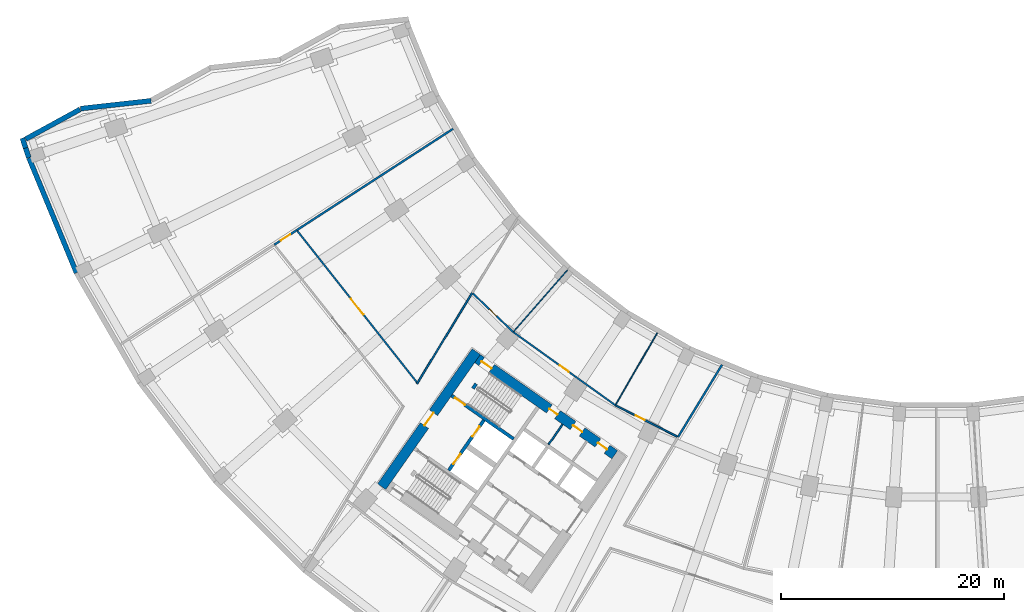
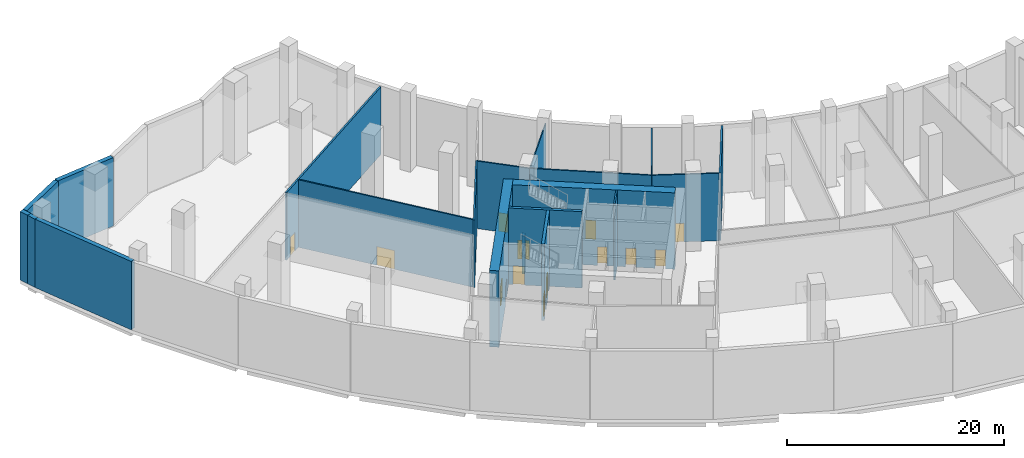
# One storey, part 6 of 19: 21 walls, 13 doors, 13 openings.
"""IFC4 building model written with IfcOpenShell, lengths in metres."""

from ifc_helpers import new_model, si_unit, direction, frame, frame_2d, origin, place, context, subcontext, project, spatial, rectangle, extrude, material, layer, layer_set, type_object, element, fill, save


model = new_model("IFC4")

# Units and contexts
model_context = context("Model", 3, precision=1e-05, world=origin(), true_north=direction((0.0, 1.0)))
body_context = subcontext(model_context, "Body", "Model", "MODEL_VIEW")
ifc_project = project(units=[si_unit("LENGTHUNIT", "METRE"), si_unit("AREAUNIT", "SQUARE_METRE"), si_unit("VOLUMEUNIT", "CUBIC_METRE"), si_unit("PLANEANGLEUNIT", "RADIAN"), si_unit("MASSUNIT", "GRAM", prefix="KILO")], contexts=[model_context])

# Site, building, storey
site_placement = place(None, origin())
site = spatial("IfcSite", under=ifc_project, at=site_placement, CompositionType="ELEMENT")
building_placement = place(site_placement, origin())
building = spatial("IfcBuilding", under=site, at=building_placement, Name="Qamariyya Broadcast Tower", CompositionType="ELEMENT")
storey_placement = place(building_placement, frame((0.0, 0.0, 9.0)))
storey = spatial("IfcBuildingStorey", under=building, at=storey_placement, Name="L01", CompositionType="ELEMENT", Elevation=9.0)

# Wall, opening, door
ifc_material_1 = material(Name="Concrete C70/85", Category="concrete")
ifc_layer_1 = layer(ifc_material_1, 0.89990234375)
ifc_layer_set_1 = layer_set([ifc_layer_1], Name="Core wall 900 mm Concrete C70/85")
wall_type_1 = type_object("IfcWallType", Name="Core wall 900 mm Concrete C70/85", PredefinedType="SHEAR", material=ifc_layer_set_1)
wall_1_placement = place(storey_placement, frame((-49.778564453125, -57.191162109375, 0.0), z_axis=(0.0, 0.0, 1.0), x_axis=(0.573577477574, 0.819151315216, 0.0)))
wall_1 = element("IfcWall", 1, at=wall_1_placement, inside=storey, type_object=wall_type_1, Name="k-W-L01-WH", PredefinedType="SHEAR", context=body_context, shape_type="SweptSolid", body=[
    extrude(rectangle(XDim=14.800048828125, YDim=0.89990234375, at=frame_2d((7.39990234375, 0.0))), origin(), (0.0, 0.0, 1.0), 8.60009765625),
])
opening_1_placement = place(wall_1_placement, frame((6.699951171875, 0.0, 0.0)))
opening_1 = element("IfcOpeningElement", 2, at=opening_1_placement, cuts=wall_1, Name="Opening KD2-W1", PredefinedType="OPENING", context=body_context, shape_type="SweptSolid", body=[
    extrude(rectangle(XDim=1.39990234375, YDim=2.10009765625, at=frame_2d((0.699951171875, 1.050048828125))), frame((0.0, 0.4599609375, 0.0), z_axis=(0.0, -1.0, 0.0), x_axis=(1.0, 0.0, 0.0)), (0.0, 0.0, 1.0), 0.919921875),
])
ifc_material_2 = material(Name="Steel fire-resisting door leaf", Category="steel")
door_type_1 = type_object("IfcDoorType", Name="Fire-fighting lobby door KD2", OperationType="DOUBLE_DOOR_SINGLE_SWING", PredefinedType="DOOR", material=ifc_material_2)
door_1_placement = place(opening_1_placement, origin())
door_1 = element("IfcDoor", 3, at=door_1_placement, inside=storey, type_object=door_type_1, Name="k-W-L01-WH-D16", OperationType="DOUBLE_DOOR_SINGLE_SWING", OverallHeight=2.10009765625, OverallWidth=1.39990234375, PredefinedType="DOOR", context=body_context, shape_type="SweptSolid", body=[
    extrude(rectangle(XDim=1.39990234375, YDim=2.10009765625, at=frame_2d((0.699951171875, 1.050048828125))), frame((0.0, 0.02490234375, 0.0), z_axis=(0.0, -1.0, 0.0), x_axis=(1.0, 0.0, 0.0)), (0.0, 0.0, 1.0), 0.050048828125),
])
fill(opening_1, door_1)

# Wall, openings, doors
wall_2_placement = place(storey_placement, frame((-28.8544921875, -54.32421875, 0.0), z_axis=(0.0, 0.0, 1.0), x_axis=(-0.819145767589, 0.573585400304, 0.0)))
wall_2 = element("IfcWall", 4, at=wall_2_placement, inside=storey, type_object=wall_type_1, Name="k-W-L01-WI", PredefinedType="SHEAR", context=body_context, shape_type="SweptSolid", body=[
    extrude(rectangle(XDim=15.04541015625, YDim=0.89990234375, at=frame_2d((7.522705078125, 0.0))), origin(), (0.0, 0.0, 1.0), 8.60009765625),
])
opening_2_placement = place(wall_2_placement, frame((0.85009765625, 0.0, 0.0)))
opening_2 = element("IfcOpeningElement", 5, at=opening_2_placement, cuts=wall_2, Name="Opening KD6-W3", PredefinedType="OPENING", context=body_context, shape_type="SweptSolid", body=[
    extrude(rectangle(XDim=1.0, YDim=2.10009765625, at=frame_2d((0.5, 1.050048828125))), frame((0.0, 0.4599609375, 0.0), z_axis=(0.0, -1.0, 0.0), x_axis=(1.0, 0.0, 0.0)), (0.0, 0.0, 1.0), 0.919921875),
])
opening_3_placement = place(wall_2_placement, frame((3.574951171875, 0.0, 0.0)))
opening_3 = element("IfcOpeningElement", 6, at=opening_3_placement, cuts=wall_2, Name="Opening KD7-W1", PredefinedType="OPENING", context=body_context, shape_type="SweptSolid", body=[
    extrude(rectangle(XDim=1.0, YDim=2.10009765625, at=frame_2d((0.5, 1.050048828125))), frame((0.0, 0.4599609375, 0.0), z_axis=(0.0, -1.0, 0.0), x_axis=(1.0, 0.0, 0.0)), (0.0, 0.0, 1.0), 0.919921875),
])
opening_4_placement = place(wall_2_placement, frame((6.27490234375, 0.0, 0.0)))
opening_4 = element("IfcOpeningElement", 7, at=opening_4_placement, cuts=wall_2, Name="Opening KD5-W1", PredefinedType="OPENING", context=body_context, shape_type="SweptSolid", body=[
    extrude(rectangle(XDim=0.89990234375, YDim=2.10009765625, at=frame_2d((0.449951171875, 1.050048828125))), frame((0.0, 0.4599609375, 0.0), z_axis=(0.0, -1.0, 0.0), x_axis=(1.0, 0.0, 0.0)), (0.0, 0.0, 1.0), 0.919921875),
])
opening_5_placement = place(wall_2_placement, frame((13.495361328125, 0.0, 0.0)))
opening_5 = element("IfcOpeningElement", 8, at=opening_5_placement, cuts=wall_2, Name="Opening KD1-W1", PredefinedType="OPENING", context=body_context, shape_type="SweptSolid", body=[
    extrude(rectangle(XDim=1.10009765625, YDim=2.10009765625, at=frame_2d((0.550048828125, 1.050048828125))), frame((0.0, 0.4599609375, 0.0), z_axis=(0.0, -1.0, 0.0), x_axis=(1.0, 0.0, 0.0)), (0.0, 0.0, 1.0), 0.919921875),
])
door_type_2 = type_object("IfcDoorType", Name="Accessible toilet door KD7", OperationType="SINGLE_SWING_LEFT", PredefinedType="DOOR", material=ifc_material_2)
door_2_placement = place(opening_3_placement, origin())
door_2 = element("IfcDoor", 9, at=door_2_placement, inside=storey, type_object=door_type_2, Name="k-W-L01-WI-D9", OperationType="SINGLE_SWING_RIGHT", OverallHeight=2.10009765625, OverallWidth=1.0, PredefinedType="DOOR", context=body_context, shape_type="SweptSolid", body=[
    extrude(rectangle(XDim=1.0, YDim=2.10009765625, at=frame_2d((0.5, 1.050048828125))), frame((0.0, 0.02490234375, 0.0), z_axis=(0.0, -1.0, 0.0), x_axis=(1.0, 0.0, 0.0)), (0.0, 0.0, 1.0), 0.050048828125),
])
fill(opening_3, door_2)
door_type_3 = type_object("IfcDoorType", Name="Core room door KD6", OperationType="SINGLE_SWING_LEFT", PredefinedType="DOOR", material=ifc_material_2)
door_3_placement = place(opening_2_placement, origin())
door_3 = element("IfcDoor", 10, at=door_3_placement, inside=storey, type_object=door_type_3, Name="k-W-L01-WI-D8", OperationType="SINGLE_SWING_LEFT", OverallHeight=2.10009765625, OverallWidth=1.0, PredefinedType="DOOR", context=body_context, shape_type="SweptSolid", body=[
    extrude(rectangle(XDim=1.0, YDim=2.10009765625, at=frame_2d((0.5, 1.050048828125))), frame((0.0, 0.02490234375, 0.0), z_axis=(0.0, -1.0, 0.0), x_axis=(1.0, 0.0, 0.0)), (0.0, 0.0, 1.0), 0.050048828125),
])
fill(opening_2, door_3)
door_type_4 = type_object("IfcDoorType", Name="Stair door KD1", OperationType="SINGLE_SWING_LEFT", PredefinedType="DOOR", material=ifc_material_2)
door_4_placement = place(opening_5_placement, origin())
door_4 = element("IfcDoor", 11, at=door_4_placement, inside=storey, type_object=door_type_4, Name="k-W-L01-WI-D17", OperationType="SINGLE_SWING_RIGHT", OverallHeight=2.10009765625, OverallWidth=1.10009765625, PredefinedType="DOOR", context=body_context, shape_type="SweptSolid", body=[
    extrude(rectangle(XDim=1.10009765625, YDim=2.10009765625, at=frame_2d((0.550048828125, 1.050048828125))), frame((0.0, 0.02490234375, 0.0), z_axis=(0.0, -1.0, 0.0), x_axis=(1.0, 0.0, 0.0)), (0.0, 0.0, 1.0), 0.050048828125),
])
fill(opening_5, door_4)
door_type_5 = type_object("IfcDoorType", Name="Toilet door KD5", OperationType="SINGLE_SWING_LEFT", PredefinedType="DOOR", material=ifc_material_2)
door_5_placement = place(opening_4_placement, origin())
door_5 = element("IfcDoor", 12, at=door_5_placement, inside=storey, type_object=door_type_5, Name="k-W-L01-WI-D10", OperationType="SINGLE_SWING_LEFT", OverallHeight=2.10009765625, OverallWidth=0.89990234375, PredefinedType="DOOR", context=body_context, shape_type="SweptSolid", body=[
    extrude(rectangle(XDim=0.89990234375, YDim=2.10009765625, at=frame_2d((0.449951171875, 1.050048828125))), frame((0.0, 0.02490234375, 0.0), z_axis=(0.0, -1.0, 0.0), x_axis=(1.0, 0.0, 0.0)), (0.0, 0.0, 1.0), 0.050048828125),
])
fill(opening_4, door_5)

# Wall, opening, door
ifc_material_3 = material(Name="Gypsum board partition")
ifc_layer_2 = layer(ifc_material_3, 0.14990234375)
ifc_layer_set_2 = layer_set([ifc_layer_2], Name="Corridor partition 150 EI 60")
wall_type_2 = type_object("IfcWallType", Name="Corridor partition 150 EI 60", PredefinedType="PARTITIONING", material=ifc_layer_set_2)
wall_3_placement = place(storey_placement, frame((-57.346923828125, -34.234619140625, 0.0), z_axis=(0.0, 0.0, 1.0), x_axis=(0.619516324984, -0.784983772494, 0.0)))
wall_3 = element("IfcWall", 13, at=wall_3_placement, inside=storey, type_object=wall_type_2, Name="Partition L01-009", PredefinedType="PARTITIONING", context=body_context, shape_type="SweptSolid", body=[
    extrude(rectangle(XDim=17.322021484375, YDim=0.14990234375, at=frame_2d((8.6611328125, 0.0))), origin(), (0.0, 0.0, 1.0), 7.60009765625),
])
opening_6_placement = place(wall_3_placement, frame((7.760986328125, 0.0, 0.0)))
opening_6 = element("IfcOpeningElement", 14, at=opening_6_placement, cuts=wall_3, Name="Opening L01-D17", PredefinedType="OPENING", context=body_context, shape_type="SweptSolid", body=[
    extrude(rectangle(XDim=1.800048828125, YDim=2.10009765625, at=frame_2d((0.89990234375, 1.050048828125))), frame((0.0, 0.0849609375, 0.0), z_axis=(0.0, -1.0, 0.0), x_axis=(1.0, 0.0, 0.0)), (0.0, 0.0, 1.0), 0.169921875),
])
ifc_material_4 = material(Name="Timber fire door leaf", Category="wood")
door_type_6 = type_object("IfcDoorType", Name="Double fire door 1800 x 2100 FD60", OperationType="NOTDEFINED", PredefinedType="DOOR", material=ifc_material_4)
door_6_placement = place(opening_6_placement, origin())
door_6 = element("IfcDoor", 15, at=door_6_placement, inside=storey, type_object=door_type_6, Name="Door L01-D17", OperationType="DOUBLE_DOOR_SINGLE_SWING", OverallHeight=2.10009765625, OverallWidth=1.800048828125, PredefinedType="DOOR", context=body_context, shape_type="SweptSolid", body=[
    extrude(rectangle(XDim=1.800048828125, YDim=2.10009765625, at=frame_2d((0.89990234375, 1.050048828125))), frame((0.0, 0.02490234375, 0.0), z_axis=(0.0, -1.0, 0.0), x_axis=(1.0, 0.0, 0.0)), (0.0, 0.0, 1.0), 0.050048828125),
])
fill(opening_6, door_6)

# Wall
wall_4_placement = place(storey_placement, frame((-41.648193359375, -39.789306640625, 0.0), z_axis=(0.0, 0.0, 1.0), x_axis=(-0.519144162426, -0.854686690325, 0.0)))
element("IfcWall", 16, at=wall_4_placement, inside=storey, type_object=wall_type_2, Name="Partition L01-011", PredefinedType="PARTITIONING", context=body_context, shape_type="SweptSolid", body=[
    extrude(rectangle(XDim=9.55419921875, YDim=0.14990234375, at=frame_2d((4.777099609375, 0.0))), origin(), (0.0, 0.0, 1.0), 7.60009765625),
])

# Wall, opening, door
wall_5_placement = place(storey_placement, frame((-41.593994140625, -39.84130859375, 0.0), z_axis=(0.0, 0.0, 1.0), x_axis=(0.722034883006, -0.691856652582, 0.0)))
wall_5 = element("IfcWall", 17, at=wall_5_placement, inside=storey, type_object=wall_type_2, Name="Partition L01-012", PredefinedType="PARTITIONING", context=body_context, shape_type="SweptSolid", body=[
    extrude(rectangle(XDim=5.007568359375, YDim=0.14990234375, at=frame_2d((2.50390625, 0.0))), origin(), (0.0, 0.0, 1.0), 7.60009765625),
])
opening_7_placement = place(wall_5_placement, frame((2.053955078125, 0.0, 0.0)))
opening_7 = element("IfcOpeningElement", 18, at=opening_7_placement, cuts=wall_5, Name="Opening L01-D12", PredefinedType="OPENING", context=body_context, shape_type="SweptSolid", body=[
    extrude(rectangle(XDim=0.89990234375, YDim=2.10009765625, at=frame_2d((0.449951171875, 1.050048828125))), frame((0.0, 0.0849609375, 0.0), z_axis=(0.0, -1.0, 0.0), x_axis=(1.0, 0.0, 0.0)), (0.0, 0.0, 1.0), 0.169921875),
])
door_type_7 = type_object("IfcDoorType", Name="Fire door 900 x 2100 FD60", OperationType="NOTDEFINED", PredefinedType="DOOR", material=ifc_material_4)
door_7_placement = place(opening_7_placement, origin())
door_7 = element("IfcDoor", 19, at=door_7_placement, inside=storey, type_object=door_type_7, Name="Door L01-D12", OperationType="SINGLE_SWING_RIGHT", OverallHeight=2.10009765625, OverallWidth=0.89990234375, PredefinedType="DOOR", context=body_context, shape_type="SweptSolid", body=[
    extrude(rectangle(XDim=0.89990234375, YDim=2.10009765625, at=frame_2d((0.449951171875, 1.050048828125))), frame((0.0, 0.02490234375, 0.0), z_axis=(0.0, -1.0, 0.0), x_axis=(1.0, 0.0, 0.0)), (0.0, 0.0, 1.0), 0.050048828125),
])
fill(opening_7, door_7)

wall_6_placement = place(storey_placement, frame((-37.978271484375, -43.305908203125, 0.0), z_axis=(0.0, 0.0, 1.0), x_axis=(0.812841355411, -0.582485133659, 0.0)))
wall_6 = element("IfcWall", 20, at=wall_6_placement, inside=storey, type_object=wall_type_2, Name="Partition L01-013", PredefinedType="PARTITIONING", context=body_context, shape_type="SweptSolid", body=[
    extrude(rectangle(XDim=11.29150390625, YDim=0.14990234375, at=frame_2d((5.645751953125, 0.0))), origin(), (0.0, 0.0, 1.0), 7.60009765625),
])
opening_8_placement = place(wall_6_placement, frame((5.145751953125, 0.0, 0.0)))
opening_8 = element("IfcOpeningElement", 21, at=opening_8_placement, cuts=wall_6, Name="Opening L01-D13", PredefinedType="OPENING", context=body_context, shape_type="SweptSolid", body=[
    extrude(rectangle(XDim=1.0, YDim=2.10009765625, at=frame_2d((0.5, 1.050048828125))), frame((0.0, 0.0849609375, 0.0), z_axis=(0.0, -1.0, 0.0), x_axis=(1.0, 0.0, 0.0)), (0.0, 0.0, 1.0), 0.169921875),
])
door_type_8 = type_object("IfcDoorType", Name="Fire door 1000 x 2100 FD60", OperationType="NOTDEFINED", PredefinedType="DOOR", material=ifc_material_4)
door_8_placement = place(opening_8_placement, origin())
door_8 = element("IfcDoor", 22, at=door_8_placement, inside=storey, type_object=door_type_8, Name="Door L01-D13", OperationType="SINGLE_SWING_RIGHT", OverallHeight=2.10009765625, OverallWidth=1.0, PredefinedType="DOOR", context=body_context, shape_type="SweptSolid", body=[
    extrude(rectangle(XDim=1.0, YDim=2.10009765625, at=frame_2d((0.5, 1.050048828125))), frame((0.0, 0.02490234375, 0.0), z_axis=(0.0, -1.0, 0.0), x_axis=(1.0, 0.0, 0.0)), (0.0, 0.0, 1.0), 0.050048828125),
])
fill(opening_8, door_8)

wall_7_placement = place(storey_placement, frame((-28.800048828125, -49.883056640625, 0.0), z_axis=(0.0, 0.0, 1.0), x_axis=(0.8920980474, -0.451841868164, 0.0)))
wall_7 = element("IfcWall", 23, at=wall_7_placement, inside=storey, type_object=wall_type_2, Name="Partition L01-019", PredefinedType="PARTITIONING", context=body_context, shape_type="SweptSolid", body=[
    extrude(rectangle(XDim=6.21630859375, YDim=0.14990234375, at=frame_2d((3.108154296875, 0.0))), origin(), (0.0, 0.0, 1.0), 7.60009765625),
])
opening_9_placement = place(wall_7_placement, frame((2.05810546875, 0.0, 0.0)))
opening_9 = element("IfcOpeningElement", 24, at=opening_9_placement, cuts=wall_7, Name="Opening L01-D14", PredefinedType="OPENING", context=body_context, shape_type="SweptSolid", body=[
    extrude(rectangle(XDim=0.89990234375, YDim=2.10009765625, at=frame_2d((0.449951171875, 1.050048828125))), frame((0.0, 0.0849609375, 0.0), z_axis=(0.0, -1.0, 0.0), x_axis=(1.0, 0.0, 0.0)), (0.0, 0.0, 1.0), 0.169921875),
])
door_9_placement = place(opening_9_placement, origin())
door_9 = element("IfcDoor", 25, at=door_9_placement, inside=storey, type_object=door_type_7, Name="Door L01-D14", OperationType="SINGLE_SWING_LEFT", OverallHeight=2.10009765625, OverallWidth=0.89990234375, PredefinedType="DOOR", context=body_context, shape_type="SweptSolid", body=[
    extrude(rectangle(XDim=0.89990234375, YDim=2.10009765625, at=frame_2d((0.449951171875, 1.050048828125))), frame((0.0, 0.02490234375, 0.0), z_axis=(0.0, -1.0, 0.0), x_axis=(1.0, 0.0, 0.0)), (0.0, 0.0, 1.0), 0.050048828125),
])
fill(opening_9, door_9)

# Wall
ifc_material_5 = material(Name="Gypsum board partition on steel studs", Category="steel")
ifc_layer_3 = layer(ifc_material_5, 0.14990234375)
ifc_layer_set_3 = layer_set([ifc_layer_3], Name="Gypsum board partition 150 mm")
wall_type_3 = type_object("IfcWallType", Name="Gypsum board partition 150 mm", PredefinedType="PARTITIONING", material=ifc_layer_set_3)
wall_8_placement = place(storey_placement, frame((-34.798095703125, -53.3974609375, 0.0), z_axis=(0.0, 0.0, 1.0), x_axis=(0.573633636671, 0.819111989218, 0.0)))
element("IfcWall", 26, at=wall_8_placement, inside=storey, type_object=wall_type_3, Name="k-W-L01-NP540", PredefinedType="PARTITIONING", context=body_context, shape_type="SweptSolid", body=[
    extrude(rectangle(XDim=2.199951171875, YDim=0.14990234375, at=frame_2d((1.10009765625, 0.0))), origin(), (0.0, 0.0, 1.0), 8.60009765625),
])

# Wall, opening, door
ifc_material_6 = material(Name="Concrete C60/75", Category="concrete")
ifc_layer_4 = layer(ifc_material_6, 0.300048828125)
ifc_layer_set_4 = layer_set([ifc_layer_4], Name="Lift shaft wall 300 mm Concrete C60/75")
wall_type_4 = type_object("IfcWallType", Name="Lift shaft wall 300 mm Concrete C60/75", PredefinedType="SOLIDWALL", material=ifc_layer_set_4)
wall_9_placement = place(storey_placement, frame((-37.935546875, -52.90966796875, 0.0), z_axis=(0.0, 0.0, 1.0), x_axis=(-0.819147518138, 0.57358290031, 0.0)))
wall_9 = element("IfcWall", 27, at=wall_9_placement, inside=storey, type_object=wall_type_4, Name="k-W-L01-NW", PredefinedType="SOLIDWALL", context=body_context, shape_type="SweptSolid", body=[
    extrude(rectangle(XDim=6.79541015625, YDim=0.300048828125, at=frame_2d((3.397705078125, 0.0))), origin(), (0.0, 0.0, 1.0), 8.60009765625),
])
opening_10_placement = place(wall_9_placement, frame((5.3203125, 0.0, 0.0)))
opening_10 = element("IfcOpeningElement", 28, at=opening_10_placement, cuts=wall_9, Name="Opening KD1-W2", PredefinedType="OPENING", context=body_context, shape_type="SweptSolid", body=[
    extrude(rectangle(XDim=1.10009765625, YDim=2.10009765625, at=frame_2d((0.550048828125, 1.050048828125))), frame((0.0, 0.159912109375, 0.0), z_axis=(0.0, -1.0, 0.0), x_axis=(1.0, 0.0, 0.0)), (0.0, 0.0, 1.0), 0.320068359375),
])
door_10_placement = place(opening_10_placement, origin())
door_10 = element("IfcDoor", 29, at=door_10_placement, inside=storey, type_object=door_type_4, Name="k-W-L01-NW-D18", OperationType="SINGLE_SWING_LEFT", OverallHeight=2.10009765625, OverallWidth=1.10009765625, PredefinedType="DOOR", context=body_context, shape_type="SweptSolid", body=[
    extrude(rectangle(XDim=1.10009765625, YDim=2.10009765625, at=frame_2d((0.550048828125, 1.050048828125))), frame((0.0, 0.02490234375, 0.0), z_axis=(0.0, -1.0, 0.0), x_axis=(1.0, 0.0, 0.0)), (0.0, 0.0, 1.0), 0.050048828125),
])
fill(opening_10, door_10)

# Wall, openings, doors
wall_10_placement = place(storey_placement, frame((-43.756591796875, -55.731201171875, 0.0), z_axis=(0.0, 0.0, 1.0), x_axis=(0.573536818435, 0.819179783625, 0.0)))
wall_10 = element("IfcWall", 30, at=wall_10_placement, inside=storey, type_object=wall_type_4, Name="k-W-L01-FF", PredefinedType="SOLIDWALL", context=body_context, shape_type="SweptSolid", body=[
    extrude(rectangle(XDim=5.500244140625, YDim=0.300048828125, at=frame_2d((2.75, 0.0))), origin(), (0.0, 0.0, 1.0), 8.60009765625),
])
opening_11_placement = place(wall_10_placement, frame((0.699951171875, 0.0, 0.0)))
opening_11 = element("IfcOpeningElement", 31, at=opening_11_placement, cuts=wall_10, Name="Opening LD", PredefinedType="OPENING", context=body_context, shape_type="SweptSolid", body=[
    extrude(rectangle(XDim=1.10009765625, YDim=2.10009765625, at=frame_2d((0.550048828125, 1.050048828125))), frame((0.0, 0.159912109375, 0.0), z_axis=(0.0, -1.0, 0.0), x_axis=(1.0, 0.0, 0.0)), (0.0, 0.0, 1.0), 0.320068359375),
])
opening_12_placement = place(wall_10_placement, frame((3.699951171875, 0.0, 0.0)))
opening_12 = element("IfcOpeningElement", 32, at=opening_12_placement, cuts=wall_10, Name="Opening LD", PredefinedType="OPENING", context=body_context, shape_type="SweptSolid", body=[
    extrude(rectangle(XDim=1.10009765625, YDim=2.10009765625, at=frame_2d((0.550048828125, 1.050048828125))), frame((0.0, 0.159912109375, 0.0), z_axis=(0.0, -1.0, 0.0), x_axis=(1.0, 0.0, 0.0)), (0.0, 0.0, 1.0), 0.320068359375),
])
door_type_9 = type_object("IfcDoorType", Name="Lift landing door LD", OperationType="DOUBLE_DOOR_SLIDING", PredefinedType="DOOR", material=ifc_material_2)
door_11_placement = place(opening_11_placement, origin())
door_11 = element("IfcDoor", 33, at=door_11_placement, inside=storey, type_object=door_type_9, Name="k-W-L01-FF-D14", OperationType="DOUBLE_DOOR_SLIDING", OverallHeight=2.10009765625, OverallWidth=1.10009765625, PredefinedType="DOOR", context=body_context, shape_type="SweptSolid", body=[
    extrude(rectangle(XDim=1.10009765625, YDim=2.10009765625, at=frame_2d((0.550048828125, 1.050048828125))), frame((0.0, 0.02490234375, 0.0), z_axis=(0.0, -1.0, 0.0), x_axis=(1.0, 0.0, 0.0)), (0.0, 0.0, 1.0), 0.050048828125),
])
fill(opening_11, door_11)
door_12_placement = place(opening_12_placement, origin())
door_12 = element("IfcDoor", 34, at=door_12_placement, inside=storey, type_object=door_type_9, Name="k-W-L01-FF-D15", OperationType="DOUBLE_DOOR_SLIDING", OverallHeight=2.10009765625, OverallWidth=1.10009765625, PredefinedType="DOOR", context=body_context, shape_type="SweptSolid", body=[
    extrude(rectangle(XDim=1.10009765625, YDim=2.10009765625, at=frame_2d((0.550048828125, 1.050048828125))), frame((0.0, 0.02490234375, 0.0), z_axis=(0.0, -1.0, 0.0), x_axis=(1.0, 0.0, 0.0)), (0.0, 0.0, 1.0), 0.050048828125),
])
fill(opening_12, door_12)

# Walls
wall_11_placement = place(storey_placement, frame((-41.5869140625, -48.369140625, 0.0), z_axis=(0.0, 0.0, 1.0), x_axis=(0.573495128918, 0.819208970354, 0.0)))
element("IfcWall", 35, at=wall_11_placement, inside=storey, type_object=wall_type_4, Name="k-W-L01-W2PR", PredefinedType="SOLIDWALL", context=body_context, shape_type="SweptSolid", body=[
    extrude(rectangle(XDim=0.499755859375, YDim=0.300048828125, at=frame_2d((0.25, 0.0))), origin(), (0.0, 0.0, 1.0), 4.300048828125),
])
ifc_layer_5 = layer(ifc_material_3, 0.10009765625)
ifc_layer_set_5 = layer_set([ifc_layer_5], Name="Partition 100")
wall_type_5 = type_object("IfcWallType", Name="Partition 100", PredefinedType="PARTITIONING", material=ifc_layer_set_5)
wall_12_placement = place(storey_placement, frame((-33.09912109375, -37.742431640625, 0.0), z_axis=(0.0, 0.0, 1.0), x_axis=(-0.659365444899, -0.751822592154, 0.0)))
element("IfcWall", 36, at=wall_12_placement, inside=storey, type_object=wall_type_5, Name="Partition L01-016", PredefinedType="PARTITIONING", context=body_context, shape_type="SweptSolid", body=[
    extrude(rectangle(XDim=7.324951171875, YDim=0.10009765625, at=frame_2d((3.66259765625, 0.0))), origin(), (0.0, 0.0, 1.0), 7.60009765625),
])
wall_13_placement = place(storey_placement, frame((-25.046630859375, -43.38232421875, 0.0), z_axis=(0.0, 0.0, 1.0), x_axis=(-0.500011569389, -0.866018724091, 0.0)))
element("IfcWall", 37, at=wall_13_placement, inside=storey, type_object=wall_type_5, Name="Partition L01-021", PredefinedType="PARTITIONING", context=body_context, shape_type="SweptSolid", body=[
    extrude(rectangle(XDim=7.431396484375, YDim=0.10009765625, at=frame_2d((3.7158203125, 0.0))), origin(), (0.0, 0.0, 1.0), 7.60009765625),
])
ifc_material_7 = material(Name="Precast concrete C40/50 with terracotta facing", Category="masonry")
ifc_layer_6 = layer(ifc_material_7, 0.449951171875)
ifc_layer_set_6 = layer_set([ifc_layer_6], Name="Precast concrete C40/50 wall 450, terracotta faced")
wall_type_6 = type_object("IfcWallType", Name="Precast concrete C40/50 wall 450, terracotta faced", PredefinedType="SOLIDWALL", material=ifc_layer_set_6)
wall_14_placement = place(storey_placement, frame((-70.4814453125, -22.548095703125, 0.0), z_axis=(0.0, 0.0, 1.0), x_axis=(-0.993813805196, -0.111059086081, 0.0)))
element("IfcWall", 38, at=wall_14_placement, inside=storey, type_object=wall_type_6, Name="e-wl-L01-capW4", PredefinedType="SOLIDWALL", context=body_context, shape_type="SweptSolid", body=[
    extrude(rectangle(XDim=6.36181640625, YDim=0.449951171875, at=frame_2d((3.180908203125, 0.0))), origin(), (0.0, 0.0, 1.0), 7.699951171875),
])
wall_15_placement = place(storey_placement, frame((-76.863037109375, -23.32373046875, 0.0), z_axis=(0.0, 0.0, 1.0), x_axis=(-0.877209140108, -0.480108450781, 0.0)))
element("IfcWall", 39, at=wall_15_placement, inside=storey, type_object=wall_type_6, Name="e-wl-L01-capW5", PredefinedType="SOLIDWALL", context=body_context, shape_type="SweptSolid", body=[
    extrude(rectangle(XDim=5.552978515625, YDim=0.449951171875, at=frame_2d((2.7763671875, 0.0))), origin(), (0.0, 0.0, 1.0), 7.699951171875),
])
wall_16_placement = place(storey_placement, frame((-82.031982421875, -25.90625, 0.0), z_axis=(0.0, 0.0, 1.0), x_axis=(0.311608566113, -0.950210556416, 0.0)))
element("IfcWall", 40, at=wall_16_placement, inside=storey, type_object=wall_type_6, Name="e-wl-L01-out00", PredefinedType="SOLIDWALL", context=body_context, shape_type="SweptSolid", body=[
    extrude(rectangle(XDim=0.936279296875, YDim=0.449951171875, at=frame_2d((0.46826171875, 0.0))), origin(), (0.0, 0.0, 1.0), 7.699951171875),
])
wall_17_placement = place(storey_placement, frame((-81.740234375, -26.7958984375, 0.0), z_axis=(0.0, 0.0, 1.0), x_axis=(0.311634105085, -0.950202180879, 0.0)))
element("IfcWall", 41, at=wall_17_placement, inside=storey, type_object=wall_type_6, Name="e-wl-L01-out01", PredefinedType="SOLIDWALL", context=body_context, shape_type="SweptSolid", body=[
    extrude(rectangle(XDim=0.90966796875, YDim=0.449951171875, at=frame_2d((0.454833984375, 0.0))), origin(), (0.0, 0.0, 1.0), 7.699951171875),
])
wall_18_placement = place(storey_placement, frame((-81.449462890625, -27.675537109375, 0.0), z_axis=(0.0, 0.0, 1.0), x_axis=(0.382700611107, -0.923872416656, 0.0)))
element("IfcWall", 42, at=wall_18_placement, inside=storey, type_object=wall_type_6, Name="e-wl-L01-out10", PredefinedType="SOLIDWALL", context=body_context, shape_type="SweptSolid", body=[
    extrude(rectangle(XDim=11.167724609375, YDim=0.449951171875, at=frame_2d((5.583984375, 0.0))), origin(), (0.0, 0.0, 1.0), 7.699951171875),
])

# Wall, opening, door
ifc_layer_7 = layer(ifc_material_3, 0.179931640625)
ifc_layer_set_7 = layer_set([ifc_layer_7], Name="Studio acoustic partition 180 EI 60")
wall_type_7 = type_object("IfcWallType", Name="Studio acoustic partition 180 EI 60", PredefinedType="PARTITIONING", material=ifc_layer_set_7)
wall_19_placement = place(storey_placement, frame((-59.41796875, -35.470458984375, 0.0), z_axis=(0.0, 0.0, 1.0), x_axis=(0.839081673018, 0.544005465051, 0.0)))
wall_19 = element("IfcWall", 43, at=wall_19_placement, inside=storey, type_object=wall_type_7, Name="Partition L01-002", PredefinedType="PARTITIONING", context=body_context, shape_type="SweptSolid", body=[
    extrude(rectangle(XDim=2.40185546875, YDim=0.179931640625, at=frame_2d((1.200927734375, 0.0))), origin(), (0.0, 0.0, 1.0), 7.60009765625),
])
opening_13_placement = place(wall_19_placement, frame((0.700927734375, 0.0, 0.0)))
opening_13 = element("IfcOpeningElement", 44, at=opening_13_placement, cuts=wall_19, Name="Opening L01-D19", PredefinedType="OPENING", context=body_context, shape_type="SweptSolid", body=[
    extrude(rectangle(XDim=1.0, YDim=2.10009765625, at=frame_2d((0.5, 1.050048828125))), frame((0.0, 0.099853515625, 0.0), z_axis=(0.0, -1.0, 0.0), x_axis=(1.0, 0.0, 0.0)), (0.0, 0.0, 1.0), 0.199951171875),
])
door_13_placement = place(opening_13_placement, origin())
door_13 = element("IfcDoor", 45, at=door_13_placement, inside=storey, type_object=door_type_8, Name="Door L01-D19", OperationType="SINGLE_SWING_RIGHT", OverallHeight=2.10009765625, OverallWidth=1.0, PredefinedType="DOOR", context=body_context, shape_type="SweptSolid", body=[
    extrude(rectangle(XDim=1.0, YDim=2.10009765625, at=frame_2d((0.5, 1.050048828125))), frame((0.0, 0.02490234375, 0.0), z_axis=(0.0, -1.0, 0.0), x_axis=(1.0, 0.0, 0.0)), (0.0, 0.0, 1.0), 0.050048828125),
])
fill(opening_13, door_13)

# Walls
wall_20_placement = place(storey_placement, frame((-57.402587890625, -34.163818359375, 0.0), z_axis=(0.0, 0.0, 1.0), x_axis=(0.83909708633, 0.543981690604, 0.0)))
element("IfcWall", 46, at=wall_20_placement, inside=storey, type_object=wall_type_7, Name="Partition L01-003", PredefinedType="PARTITIONING", context=body_context, shape_type="SweptSolid", body=[
    extrude(rectangle(XDim=16.723388671875, YDim=0.179931640625, at=frame_2d((8.36181640625, 0.0))), origin(), (0.0, 0.0, 1.0), 7.60009765625),
])
wall_21_placement = place(storey_placement, frame((-19.2314453125, -46.2490234375, 0.0), z_axis=(0.0, 0.0, 1.0), x_axis=(-0.519582509181, -0.854420280748, 0.0)))
element("IfcWall", 47, at=wall_21_placement, inside=storey, type_object=wall_type_7, Name="Partition L01-023", PredefinedType="PARTITIONING", context=body_context, shape_type="SweptSolid", body=[
    extrude(rectangle(XDim=7.588134765625, YDim=0.179931640625, at=frame_2d((3.7939453125, 0.0))), origin(), (0.0, 0.0, 1.0), 7.60009765625),
])

save(model, "model.ifc")
